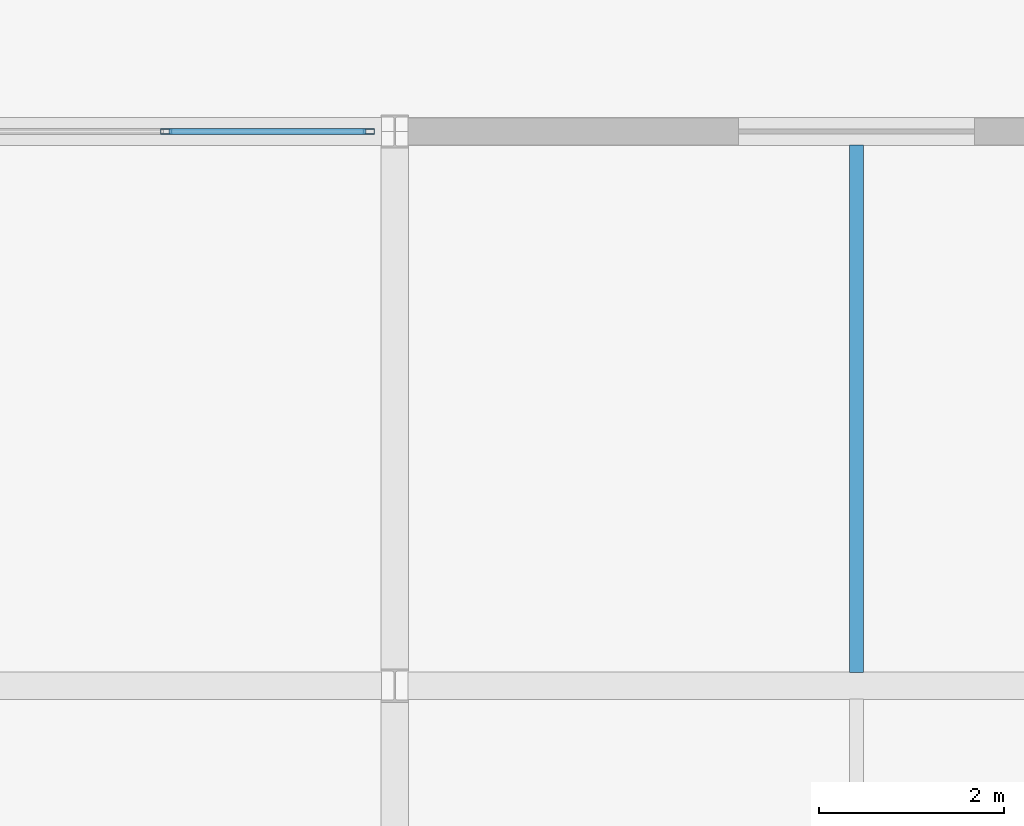
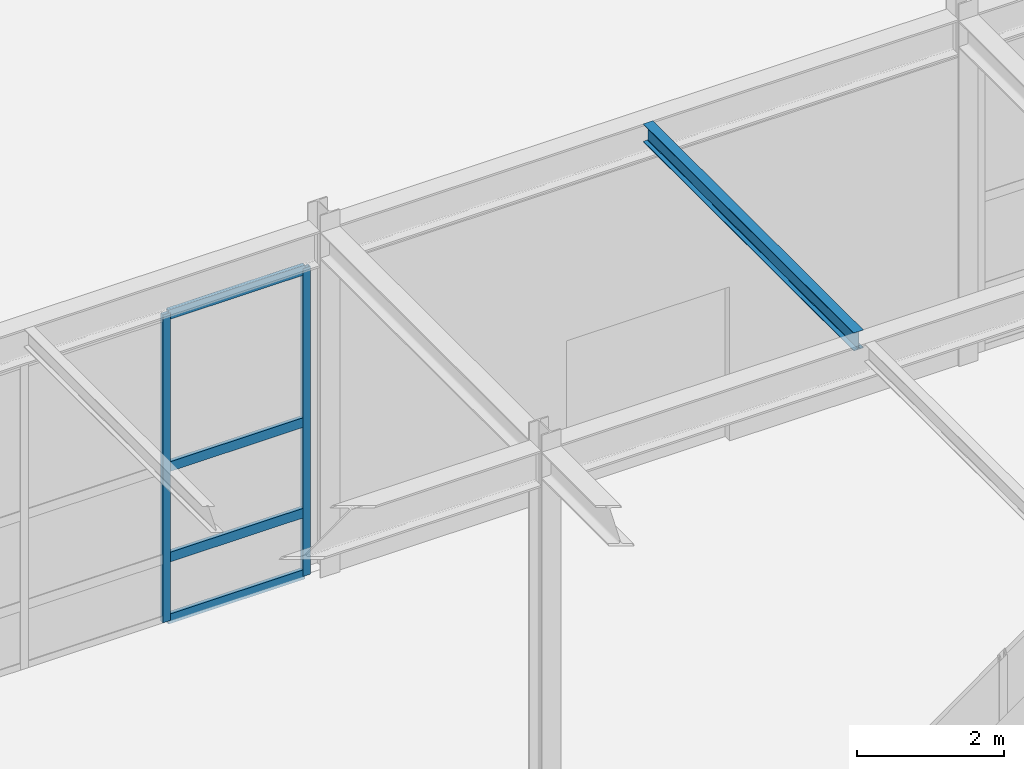
# One storey, part 98 of 146: 6 members, 1 beam, 1 element without a shape of its own.
"""IFC4 building model written with IfcOpenShell, lengths in metres."""

from ifc_helpers import new_model, si_unit, direction, frame, origin, origin_2d, place, context, subcontext, project, spatial, hollow_rectangle, i_section, extrude, material, material_profile, profile_set, type_object, element, aggregate, save


model = new_model("IFC4")

# Units and contexts
model_context = context("Model", 3, precision=1e-05, world=origin(), true_north=direction((0.0, 1.0)))
body_context = subcontext(model_context, "Body", "Model", "MODEL_VIEW")
ifc_project = project(units=[si_unit("LENGTHUNIT", "METRE"), si_unit("AREAUNIT", "SQUARE_METRE"), si_unit("VOLUMEUNIT", "CUBIC_METRE"), si_unit("PLANEANGLEUNIT", "RADIAN"), si_unit("MASSUNIT", "GRAM", prefix="KILO")], contexts=[model_context])

# Site, building, storey
site_placement = place(None, origin())
site = spatial("IfcSite", under=ifc_project, at=site_placement, CompositionType="ELEMENT")
building_placement = place(site_placement, origin())
building = spatial("IfcBuilding", under=site, at=building_placement, Name="Kaldris Quays Convention Centre", CompositionType="ELEMENT")
storey_placement = place(building_placement, origin())
storey = spatial("IfcBuildingStorey", under=building, at=storey_placement, Name="L00", CompositionType="ELEMENT", Elevation=0.0)

# Curtain wall, members
ifc_material_1 = material(Name="Anodized aluminium AW-6060 and triple glazing", Category="aluminium")
curtain_wall_type = type_object("IfcCurtainWallType", Name="UNITISED CURTAIN WALL CW06", PredefinedType="NOTDEFINED", material=ifc_material_1)
curtain_wall_placement = place(storey_placement, origin())
curtain_wall = element("IfcCurtainWall", 1, at=curtain_wall_placement, inside=storey, type_object=curtain_wall_type, Name="L00 Unitised Curtain Wall CW06 153", PredefinedType="NOTDEFINED")
ifc_material_2 = material(Name="Anodized aluminium AW-6060", Category="aluminium")
ifc_material_profile_1 = material_profile(ifc_material_2, hollow_rectangle(XDim=0.06005859375, YDim=0.1201171875, WallThickness=0.00390625, at=origin_2d()), Name="RHS 120x60x4")
ifc_profile_set_1 = profile_set([ifc_material_profile_1], Name="Anodized aluminium AW-6060")
member_type_1 = type_object("IfcMemberType", Name="CURTAIN MULLION CWM3", PredefinedType="MULLION", material=ifc_profile_set_1)
member_1_placement = place(storey_placement, frame((171.52490234375, 116.0, 0.0), z_axis=(0.0, 0.0, 1.0), x_axis=(0.0, 1.0, 0.0)))
member_1 = element("IfcMember", 2, at=member_1_placement, type_object=member_type_1, Name="CW06 mullion 4", PredefinedType="MULLION", context=body_context, shape_type="SweptSolid", body=[
    extrude(hollow_rectangle(XDim=0.06005859375, YDim=0.1201171875, WallThickness=0.00390625, at=origin_2d()), origin(), (0.0, 0.0, 1.0), 5.097900390625),
])
member_2_placement = place(storey_placement, frame((173.719970703125, 116.0, 0.0), z_axis=(0.0, 0.0, 1.0), x_axis=(0.0, 1.0, 0.0)))
member_2 = element("IfcMember", 3, at=member_2_placement, type_object=member_type_1, Name="CW06 mullion 5", PredefinedType="MULLION", context=body_context, shape_type="SweptSolid", body=[
    extrude(hollow_rectangle(XDim=0.06005859375, YDim=0.1201171875, WallThickness=0.00390625, at=origin_2d()), origin(), (0.0, 0.0, 1.0), 5.097900390625),
])
ifc_material_profile_2 = material_profile(ifc_material_2, hollow_rectangle(XDim=0.06005859375, YDim=0.159912109375, WallThickness=0.00390625, at=origin_2d()), Name="RHS 160x60x4")
ifc_profile_set_2 = profile_set([ifc_material_profile_2], Name="Anodized aluminium AW-6060")
member_type_2 = type_object("IfcMemberType", Name="CURTAIN TRANSOM CWT2", PredefinedType="USERDEFINED", material=ifc_profile_set_2)
member_3_placement = place(storey_placement, frame((171.554931640625, 116.0, 0.030029296875), z_axis=(1.0, 0.0, 0.0), x_axis=(0.0, 1.0, 0.0)))
member_3 = element("IfcMember", 4, at=member_3_placement, type_object=member_type_2, Name="CW06 transom 4.1", ObjectType="TRANSOM", PredefinedType="USERDEFINED", context=body_context, shape_type="SweptSolid", body=[
    extrude(hollow_rectangle(XDim=0.06005859375, YDim=0.159912109375, WallThickness=0.00390625, at=origin_2d()), origin(), (0.0, 0.0, 1.0), 2.135009765625),
])
member_4_placement = place(storey_placement, frame((171.554931640625, 116.0, 1.050048828125), z_axis=(1.0, 0.0, 0.0), x_axis=(0.0, 1.0, 0.0)))
member_4 = element("IfcMember", 5, at=member_4_placement, type_object=member_type_2, Name="CW06 transom 4.2", ObjectType="TRANSOM", PredefinedType="USERDEFINED", context=body_context, shape_type="SweptSolid", body=[
    extrude(hollow_rectangle(XDim=0.06005859375, YDim=0.159912109375, WallThickness=0.00390625, at=origin_2d()), origin(), (0.0, 0.0, 1.0), 2.135009765625),
])
member_5_placement = place(storey_placement, frame((171.554931640625, 116.0, 2.549072265625), z_axis=(1.0, 0.0, 0.0), x_axis=(0.0, 1.0, 0.0)))
member_5 = element("IfcMember", 6, at=member_5_placement, type_object=member_type_2, Name="CW06 transom 4.3", ObjectType="TRANSOM", PredefinedType="USERDEFINED", context=body_context, shape_type="SweptSolid", body=[
    extrude(hollow_rectangle(XDim=0.06005859375, YDim=0.159912109375, WallThickness=0.00390625, at=origin_2d()), origin(), (0.0, 0.0, 1.0), 2.135009765625),
])
member_6_placement = place(storey_placement, frame((171.554931640625, 116.0, 5.068115234375), z_axis=(1.0, 0.0, 0.0), x_axis=(0.0, 1.0, 0.0)))
member_6 = element("IfcMember", 7, at=member_6_placement, type_object=member_type_2, Name="CW06 transom 4.4", ObjectType="TRANSOM", PredefinedType="USERDEFINED", context=body_context, shape_type="SweptSolid", body=[
    extrude(hollow_rectangle(XDim=0.06005859375, YDim=0.159912109375, WallThickness=0.00390625, at=origin_2d()), origin(), (0.0, 0.0, 1.0), 2.135009765625),
])
aggregate(curtain_wall, [member_1, member_2, member_3, member_4, member_5, member_6])

# Beam
ifc_material_3 = material(Name="Steel S355J2", Category="steel")
ifc_material_profile_3 = material_profile(ifc_material_3, i_section(OverallWidth=0.14990234375, OverallDepth=0.300048828125, WebThickness=0.007080078125, FlangeThickness=0.0107421875, FilletRadius=0.014892578125, at=origin_2d()), Name="IPE 300")
ifc_profile_set_3 = profile_set([ifc_material_profile_3], Name="Steel S355J2")
beam_type = type_object("IfcBeamType", Name="STRUCTURAL BEAM JT04", PredefinedType="JOIST", material=ifc_profile_set_3)
beam_placement = place(storey_placement, frame((179.0, 110.14404296875, 5.572998046875), z_axis=(0.0, 1.0, 0.0), x_axis=(-1.0, 0.0, 0.0)))
element("IfcBeam", 8, at=beam_placement, inside=storey, type_object=beam_type, Name="L00 Secondary Joist JT04 34", PredefinedType="JOIST", context=body_context, shape_type="SweptSolid", body=[
    extrude(i_section(OverallWidth=0.14990234375, OverallDepth=0.300048828125, WebThickness=0.007080078125, FlangeThickness=0.0107421875, FilletRadius=0.014892578125, at=origin_2d()), origin(), (0.0, 0.0, 1.0), 5.7119140625),
])

save(model, "model.ifc")
